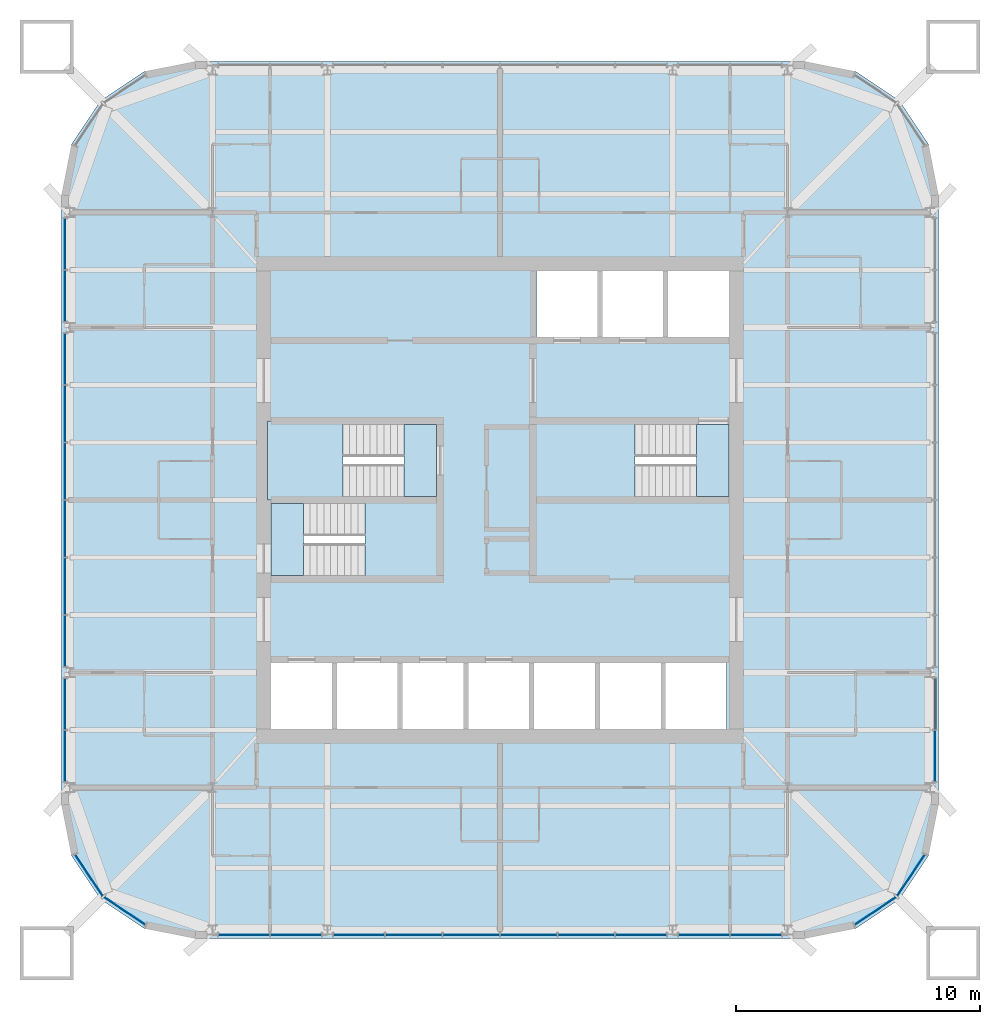
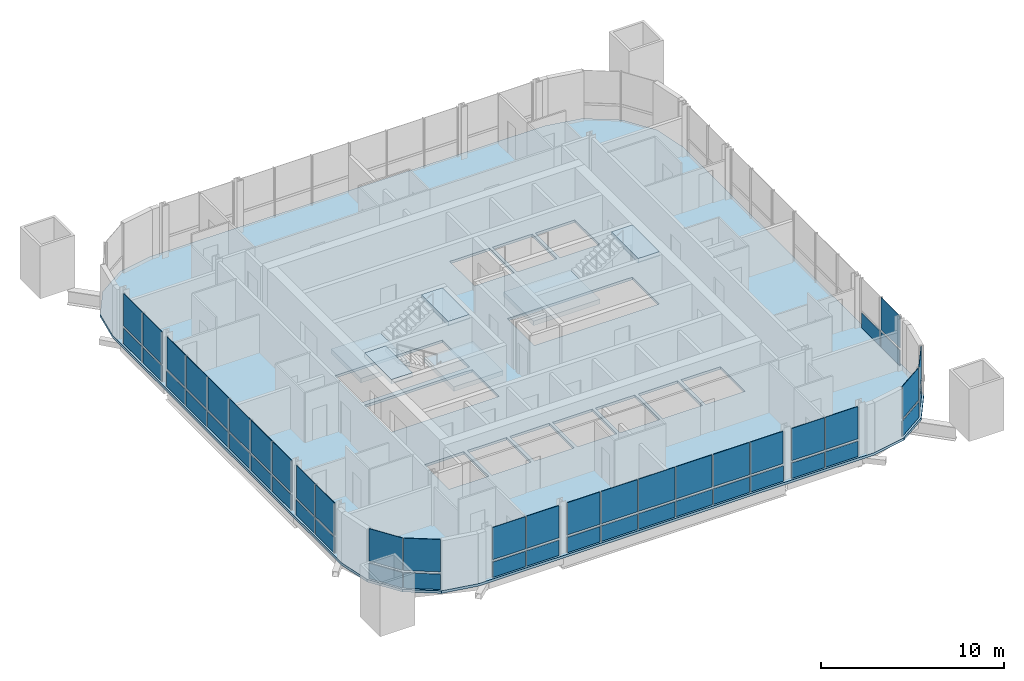
# One storey, part 6 of 12: 51 plates, 7 slabs, 12 elements without a shape of their own.
"""IFC4 building model written with IfcOpenShell, lengths in metres."""

from ifc_helpers import new_model, si_unit, direction, frame, origin, origin_2d, place, context, subcontext, project, spatial, polyline, rectangle, outline, extrude, material, layer, layer_set, type_object, element, aggregate, save


model = new_model("IFC4")

# Units and contexts
model_context = context("Model", 3, precision=1e-05, world=origin(), true_north=direction((0.0, 1.0)))
body_context = subcontext(model_context, "Body", "Model", "MODEL_VIEW")
ifc_project = project(units=[si_unit("LENGTHUNIT", "METRE"), si_unit("AREAUNIT", "SQUARE_METRE"), si_unit("VOLUMEUNIT", "CUBIC_METRE"), si_unit("PLANEANGLEUNIT", "RADIAN"), si_unit("MASSUNIT", "GRAM", prefix="KILO")], contexts=[model_context])

# Site, building, storey
site_placement = place(None, origin())
site = spatial("IfcSite", under=ifc_project, at=site_placement, CompositionType="ELEMENT")
building_placement = place(site_placement, origin())
building = spatial("IfcBuilding", under=site, at=building_placement, Name="Turquesa Mirador Hotel Tower", CompositionType="ELEMENT")
storey_placement = place(building_placement, frame((0.0, 0.0, 233.699951171875)))
storey = spatial("IfcBuildingStorey", under=building, at=storey_placement, Name="L63", CompositionType="ELEMENT", Elevation=233.699951171875)

# Slab
ifc_material_1 = material(Name="Concrete C28/35", Category="concrete")
ifc_layer_1 = layer(ifc_material_1, 0.169921875)
ifc_layer_set_1 = layer_set([ifc_layer_1], Name="COMPOSITE FLOOR SLAB 170")
slab_type_1 = type_object("IfcSlabType", Name="COMPOSITE FLOOR SLAB 170", PredefinedType="FLOOR", material=ifc_layer_set_1)
slab_1_placement = place(storey_placement, frame((0.0, 0.0, -0.169921875)))
element("IfcSlab", 1, at=slab_1_placement, inside=storey, type_object=slab_type_1, Name="Floor slab L63", PredefinedType="FLOOR", context=body_context, shape_type="SweptSolid", body=[
    extrude(outline(polyline([(67.5, 27.0), (69.604736328125, 27.418701171875), (71.38916015625, 28.61083984375), (72.581298828125, 30.395263671875), (73.0, 32.5), (73.0, 57.5), (72.581298828125, 59.604736328125), (71.38916015625, 61.38916015625), (69.604736328125, 62.581298828125), (67.5, 63.0), (42.5, 63.0), (40.395263671875, 62.581298828125), (38.61083984375, 61.38916015625), (37.418701171875, 59.604736328125), (37.0, 57.5), (37.0, 32.5), (37.418701171875, 30.395263671875), (38.61083984375, 28.61083984375), (40.395263671875, 27.418701171875), (42.5, 27.0), (67.5, 27.0)]), holes=[polyline([(56.5, 51.699951171875), (59.0, 51.699951171875), (59.0, 54.39990234375), (56.5, 54.39990234375), (56.5, 51.699951171875)]), polyline([(59.199951171875, 51.699951171875), (61.699951171875, 51.699951171875), (61.699951171875, 54.39990234375), (59.199951171875, 54.39990234375), (59.199951171875, 51.699951171875)]), polyline([(45.60009765625, 35.60009765625), (48.10009765625, 35.60009765625), (48.10009765625, 38.300048828125), (45.60009765625, 38.300048828125), (45.60009765625, 35.60009765625)]), polyline([(48.300048828125, 35.60009765625), (50.800048828125, 35.60009765625), (50.800048828125, 38.300048828125), (48.300048828125, 38.300048828125), (48.300048828125, 35.60009765625)]), polyline([(51.0, 35.60009765625), (53.5, 35.60009765625), (53.5, 38.300048828125), (51.0, 38.300048828125), (51.0, 35.60009765625)]), polyline([(53.699951171875, 35.60009765625), (56.199951171875, 35.60009765625), (56.199951171875, 38.300048828125), (53.699951171875, 38.300048828125), (53.699951171875, 35.60009765625)]), polyline([(56.39990234375, 35.60009765625), (58.89990234375, 35.60009765625), (58.89990234375, 38.300048828125), (56.39990234375, 38.300048828125), (56.39990234375, 35.60009765625)]), polyline([(59.10009765625, 35.60009765625), (61.60009765625, 35.60009765625), (61.60009765625, 38.300048828125), (59.10009765625, 38.300048828125), (59.10009765625, 35.60009765625)]), polyline([(61.800048828125, 35.60009765625), (64.300048828125, 35.60009765625), (64.300048828125, 38.300048828125), (61.800048828125, 38.300048828125), (61.800048828125, 35.60009765625)]), polyline([(45.60009765625, 45.14990234375), (52.39990234375, 45.14990234375), (52.39990234375, 48.10009765625), (45.60009765625, 48.10009765625), (45.60009765625, 45.14990234375)]), polyline([(45.60009765625, 41.89990234375), (52.39990234375, 41.89990234375), (52.39990234375, 44.85009765625), (45.60009765625, 44.85009765625), (45.60009765625, 41.89990234375)]), polyline([(56.5, 45.14990234375), (64.39990234375, 45.14990234375), (64.39990234375, 48.10009765625), (56.5, 48.10009765625), (56.5, 45.14990234375)]), polyline([(61.89990234375, 51.699951171875), (64.39990234375, 51.699951171875), (64.39990234375, 54.39990234375), (61.89990234375, 54.39990234375), (61.89990234375, 51.699951171875)])]), origin(), (0.0, 0.0, 1.0), 0.169921875),
])

# Curtain wall, plates
ifc_material_2 = material(Name="Aluminium extrusion", Category="aluminium")
curtain_wall_type = type_object("IfcCurtainWallType", Name="CW-4 SUITE FRITTED CURTAIN WALL", PredefinedType="USERDEFINED", material=ifc_material_2)
curtain_wall_1_placement = place(storey_placement, origin())
curtain_wall_1 = element("IfcCurtainWall", 2, at=curtain_wall_1_placement, inside=storey, type_object=curtain_wall_type, Name="CW-4 SUITE FRITTED CURTAIN WALL L63", ObjectType="CURTAIN WALL", PredefinedType="USERDEFINED")
ifc_material_3 = material(Name="Ceramic-printed spandrel glass on an insulated back pan", Category="glass")
ifc_layer_2 = layer(ifc_material_3, 0.050048828125)
ifc_layer_set_2 = layer_set([ifc_layer_2], Name="CW PANEL SPANDREL CERAMIC")
plate_type_1 = type_object("IfcPlateType", Name="CW PANEL SPANDREL CERAMIC", PredefinedType="CURTAIN_PANEL", material=ifc_layer_set_2)
plate_1_placement = place(storey_placement, frame((70.415283203125, 28.13720703125, 0.0), z_axis=(0.0, 0.0, 1.0), x_axis=(0.831469673284, 0.555570141754, 0.0)))
plate_1 = element("IfcPlate", 3, at=plate_1_placement, type_object=plate_type_1, Name="Panel", PredefinedType="CURTAIN_PANEL", context=body_context, shape_type="SweptSolid", body=[
    extrude(rectangle(XDim=2.0224609375, YDim=0.050048828125, at=origin_2d()), origin(), (0.0, 0.0, 1.0), 1.02490234375),
])
plate_2_placement = place(storey_placement, frame((71.86279296875, 29.584716796875, 0.0), z_axis=(0.0, 0.0, 1.0), x_axis=(0.555570141754, 0.831469673284, 0.0)))
plate_2 = element("IfcPlate", 4, at=plate_2_placement, type_object=plate_type_1, Name="Panel", PredefinedType="CURTAIN_PANEL", context=body_context, shape_type="SweptSolid", body=[
    extrude(rectangle(XDim=2.0224609375, YDim=0.050048828125, at=origin_2d()), origin(), (0.0, 0.0, 1.0), 1.02490234375),
])

curtain_wall_2_placement = place(storey_placement, origin())
curtain_wall_2 = element("IfcCurtainWall", 5, at=curtain_wall_2_placement, inside=storey, type_object=curtain_wall_type, Name="CW-4 SUITE FRITTED CURTAIN WALL L63", ObjectType="CURTAIN WALL", PredefinedType="USERDEFINED")
plate_3_placement = place(storey_placement, frame((72.85009765625, 34.496826171875, 0.0), z_axis=(0.0, 0.0, 1.0), x_axis=(0.0, 1.0, 0.0)))
plate_3 = element("IfcPlate", 6, at=plate_3_placement, type_object=plate_type_1, Name="Panel", PredefinedType="CURTAIN_PANEL", context=body_context, shape_type="SweptSolid", body=[
    extrude(rectangle(XDim=2.06103515625, YDim=0.050048828125, at=origin_2d()), origin(), (0.0, 0.0, 1.0), 1.02490234375),
])
plate_4_placement = place(storey_placement, frame((72.85009765625, 36.623046875, 0.0), z_axis=(0.0, 0.0, 1.0), x_axis=(0.0, 1.0, 0.0)))
plate_4 = element("IfcPlate", 7, at=plate_4_placement, type_object=plate_type_1, Name="Panel", PredefinedType="CURTAIN_PANEL", context=body_context, shape_type="SweptSolid", body=[
    extrude(rectangle(XDim=2.06103515625, YDim=0.050048828125, at=origin_2d()), origin(), (0.0, 0.0, 1.0), 1.02490234375),
])

curtain_wall_3_placement = place(storey_placement, origin())
curtain_wall_3 = element("IfcCurtainWall", 8, at=curtain_wall_3_placement, inside=storey, type_object=curtain_wall_type, Name="CW-4 SUITE FRITTED CURTAIN WALL L63", ObjectType="CURTAIN WALL", PredefinedType="USERDEFINED")
plate_5_placement = place(storey_placement, frame((37.14990234375, 55.503173828125, 0.0), z_axis=(0.0, 0.0, 1.0), x_axis=(0.0, -1.0, 0.0)))
plate_5 = element("IfcPlate", 9, at=plate_5_placement, type_object=plate_type_1, Name="Panel", PredefinedType="CURTAIN_PANEL", context=body_context, shape_type="SweptSolid", body=[
    extrude(rectangle(XDim=2.06103515625, YDim=0.050048828125, at=origin_2d()), origin(), (0.0, 0.0, 1.0), 1.02490234375),
])
plate_6_placement = place(storey_placement, frame((37.14990234375, 53.376953125, 0.0), z_axis=(0.0, 0.0, 1.0), x_axis=(0.0, -1.0, 0.0)))
plate_6 = element("IfcPlate", 10, at=plate_6_placement, type_object=plate_type_1, Name="Panel", PredefinedType="CURTAIN_PANEL", context=body_context, shape_type="SweptSolid", body=[
    extrude(rectangle(XDim=2.06103515625, YDim=0.050048828125, at=origin_2d()), origin(), (0.0, 0.0, 1.0), 1.02490234375),
])

curtain_wall_4_placement = place(storey_placement, origin())
curtain_wall_4 = element("IfcCurtainWall", 11, at=curtain_wall_4_placement, inside=storey, type_object=curtain_wall_type, Name="CW-4 SUITE FRITTED CURTAIN WALL L63", ObjectType="CURTAIN WALL", PredefinedType="USERDEFINED")
plate_7_placement = place(storey_placement, frame((37.14990234375, 50.782958984375, 0.0), z_axis=(0.0, 0.0, 1.0), x_axis=(0.0, -1.0, 0.0)))
plate_7 = element("IfcPlate", 12, at=plate_7_placement, type_object=plate_type_1, Name="Panel", PredefinedType="CURTAIN_PANEL", context=body_context, shape_type="SweptSolid", body=[
    extrude(rectangle(XDim=2.06103515625, YDim=0.050048828125, at=origin_2d()), origin(), (0.0, 0.0, 1.0), 1.02490234375),
])
plate_8_placement = place(storey_placement, frame((37.14990234375, 48.5400390625, 0.0), z_axis=(0.0, 0.0, 1.0), x_axis=(0.0, -1.0, 0.0)))
plate_8 = element("IfcPlate", 13, at=plate_8_placement, type_object=plate_type_1, Name="Panel", PredefinedType="CURTAIN_PANEL", context=body_context, shape_type="SweptSolid", body=[
    extrude(rectangle(XDim=2.294921875, YDim=0.050048828125, at=origin_2d()), origin(), (0.0, 0.0, 1.0), 1.02490234375),
])
plate_9_placement = place(storey_placement, frame((37.14990234375, 46.179931640625, 0.0), z_axis=(0.0, 0.0, 1.0), x_axis=(0.0, -1.0, 0.0)))
plate_9 = element("IfcPlate", 14, at=plate_9_placement, type_object=plate_type_1, Name="Panel", PredefinedType="CURTAIN_PANEL", context=body_context, shape_type="SweptSolid", body=[
    extrude(rectangle(XDim=2.294921875, YDim=0.050048828125, at=origin_2d()), origin(), (0.0, 0.0, 1.0), 1.02490234375),
])
plate_10_placement = place(storey_placement, frame((37.14990234375, 43.820068359375, 0.0), z_axis=(0.0, 0.0, 1.0), x_axis=(0.0, -1.0, 0.0)))
plate_10 = element("IfcPlate", 15, at=plate_10_placement, type_object=plate_type_1, Name="Panel", PredefinedType="CURTAIN_PANEL", context=body_context, shape_type="SweptSolid", body=[
    extrude(rectangle(XDim=2.294921875, YDim=0.050048828125, at=origin_2d()), origin(), (0.0, 0.0, 1.0), 1.02490234375),
])
plate_11_placement = place(storey_placement, frame((37.14990234375, 41.4599609375, 0.0), z_axis=(0.0, 0.0, 1.0), x_axis=(0.0, -1.0, 0.0)))
plate_11 = element("IfcPlate", 16, at=plate_11_placement, type_object=plate_type_1, Name="Panel", PredefinedType="CURTAIN_PANEL", context=body_context, shape_type="SweptSolid", body=[
    extrude(rectangle(XDim=2.294921875, YDim=0.050048828125, at=origin_2d()), origin(), (0.0, 0.0, 1.0), 1.02490234375),
])
plate_12_placement = place(storey_placement, frame((37.14990234375, 39.217041015625, 0.0), z_axis=(0.0, 0.0, 1.0), x_axis=(0.0, -1.0, 0.0)))
plate_12 = element("IfcPlate", 17, at=plate_12_placement, type_object=plate_type_1, Name="Panel", PredefinedType="CURTAIN_PANEL", context=body_context, shape_type="SweptSolid", body=[
    extrude(rectangle(XDim=2.06103515625, YDim=0.050048828125, at=origin_2d()), origin(), (0.0, 0.0, 1.0), 1.02490234375),
])

curtain_wall_5_placement = place(storey_placement, origin())
curtain_wall_5 = element("IfcCurtainWall", 18, at=curtain_wall_5_placement, inside=storey, type_object=curtain_wall_type, Name="CW-4 SUITE FRITTED CURTAIN WALL L63", ObjectType="CURTAIN WALL", PredefinedType="USERDEFINED")
plate_13_placement = place(storey_placement, frame((37.14990234375, 36.623046875, 0.0), z_axis=(0.0, 0.0, 1.0), x_axis=(0.0, -1.0, 0.0)))
plate_13 = element("IfcPlate", 19, at=plate_13_placement, type_object=plate_type_1, Name="Panel", PredefinedType="CURTAIN_PANEL", context=body_context, shape_type="SweptSolid", body=[
    extrude(rectangle(XDim=2.06103515625, YDim=0.050048828125, at=origin_2d()), origin(), (0.0, 0.0, 1.0), 1.02490234375),
])
plate_14_placement = place(storey_placement, frame((37.14990234375, 34.496826171875, 0.0), z_axis=(0.0, 0.0, 1.0), x_axis=(0.0, -1.0, 0.0)))
plate_14 = element("IfcPlate", 20, at=plate_14_placement, type_object=plate_type_1, Name="Panel", PredefinedType="CURTAIN_PANEL", context=body_context, shape_type="SweptSolid", body=[
    extrude(rectangle(XDim=2.06103515625, YDim=0.050048828125, at=origin_2d()), origin(), (0.0, 0.0, 1.0), 1.02490234375),
])

curtain_wall_6_placement = place(storey_placement, origin())
curtain_wall_6 = element("IfcCurtainWall", 21, at=curtain_wall_6_placement, inside=storey, type_object=curtain_wall_type, Name="CW-4 SUITE FRITTED CURTAIN WALL L63", ObjectType="CURTAIN WALL", PredefinedType="USERDEFINED")
plate_15_placement = place(storey_placement, frame((38.13720703125, 29.584716796875, 0.0), z_axis=(0.0, 0.0, 1.0), x_axis=(0.555570141754, -0.831469673284, 0.0)))
plate_15 = element("IfcPlate", 22, at=plate_15_placement, type_object=plate_type_1, Name="Panel", PredefinedType="CURTAIN_PANEL", context=body_context, shape_type="SweptSolid", body=[
    extrude(rectangle(XDim=2.0224609375, YDim=0.050048828125, at=origin_2d()), origin(), (0.0, 0.0, 1.0), 1.02490234375),
])
plate_16_placement = place(storey_placement, frame((39.584716796875, 28.13720703125, 0.0), z_axis=(0.0, 0.0, 1.0), x_axis=(0.831469673284, -0.555570141754, 0.0)))
plate_16 = element("IfcPlate", 23, at=plate_16_placement, type_object=plate_type_1, Name="Panel", PredefinedType="CURTAIN_PANEL", context=body_context, shape_type="SweptSolid", body=[
    extrude(rectangle(XDim=2.0224609375, YDim=0.050048828125, at=origin_2d()), origin(), (0.0, 0.0, 1.0), 1.02490234375),
])

curtain_wall_7_placement = place(storey_placement, origin())
curtain_wall_7 = element("IfcCurtainWall", 24, at=curtain_wall_7_placement, inside=storey, type_object=curtain_wall_type, Name="CW-4 SUITE FRITTED CURTAIN WALL L63", ObjectType="CURTAIN WALL", PredefinedType="USERDEFINED")
plate_17_placement = place(storey_placement, frame((44.496826171875, 27.14990234375, 0.0), z_axis=(0.0, 0.0, 1.0), x_axis=(1.0, 0.0, 0.0)))
plate_17 = element("IfcPlate", 25, at=plate_17_placement, type_object=plate_type_1, Name="Panel", PredefinedType="CURTAIN_PANEL", context=body_context, shape_type="SweptSolid", body=[
    extrude(rectangle(XDim=2.06103515625, YDim=0.050048828125, at=origin_2d()), origin(), (0.0, 0.0, 1.0), 1.02490234375),
])
plate_18_placement = place(storey_placement, frame((46.623046875, 27.14990234375, 0.0), z_axis=(0.0, 0.0, 1.0), x_axis=(1.0, 0.0, 0.0)))
plate_18 = element("IfcPlate", 26, at=plate_18_placement, type_object=plate_type_1, Name="Panel", PredefinedType="CURTAIN_PANEL", context=body_context, shape_type="SweptSolid", body=[
    extrude(rectangle(XDim=2.06103515625, YDim=0.050048828125, at=origin_2d()), origin(), (0.0, 0.0, 1.0), 1.02490234375),
])

curtain_wall_8_placement = place(storey_placement, origin())
curtain_wall_8 = element("IfcCurtainWall", 27, at=curtain_wall_8_placement, inside=storey, type_object=curtain_wall_type, Name="CW-4 SUITE FRITTED CURTAIN WALL L63", ObjectType="CURTAIN WALL", PredefinedType="USERDEFINED")
plate_19_placement = place(storey_placement, frame((49.217041015625, 27.14990234375, 0.0), z_axis=(0.0, 0.0, 1.0), x_axis=(1.0, 0.0, 0.0)))
plate_19 = element("IfcPlate", 28, at=plate_19_placement, type_object=plate_type_1, Name="Panel", PredefinedType="CURTAIN_PANEL", context=body_context, shape_type="SweptSolid", body=[
    extrude(rectangle(XDim=2.06103515625, YDim=0.050048828125, at=origin_2d()), origin(), (0.0, 0.0, 1.0), 1.02490234375),
])
plate_20_placement = place(storey_placement, frame((51.4599609375, 27.14990234375, 0.0), z_axis=(0.0, 0.0, 1.0), x_axis=(1.0, 0.0, 0.0)))
plate_20 = element("IfcPlate", 29, at=plate_20_placement, type_object=plate_type_1, Name="Panel", PredefinedType="CURTAIN_PANEL", context=body_context, shape_type="SweptSolid", body=[
    extrude(rectangle(XDim=2.294921875, YDim=0.050048828125, at=origin_2d()), origin(), (0.0, 0.0, 1.0), 1.02490234375),
])
plate_21_placement = place(storey_placement, frame((53.820068359375, 27.14990234375, 0.0), z_axis=(0.0, 0.0, 1.0), x_axis=(1.0, 0.0, 0.0)))
plate_21 = element("IfcPlate", 30, at=plate_21_placement, type_object=plate_type_1, Name="Panel", PredefinedType="CURTAIN_PANEL", context=body_context, shape_type="SweptSolid", body=[
    extrude(rectangle(XDim=2.294921875, YDim=0.050048828125, at=origin_2d()), origin(), (0.0, 0.0, 1.0), 1.02490234375),
])
plate_22_placement = place(storey_placement, frame((56.179931640625, 27.14990234375, 0.0), z_axis=(0.0, 0.0, 1.0), x_axis=(1.0, 0.0, 0.0)))
plate_22 = element("IfcPlate", 31, at=plate_22_placement, type_object=plate_type_1, Name="Panel", PredefinedType="CURTAIN_PANEL", context=body_context, shape_type="SweptSolid", body=[
    extrude(rectangle(XDim=2.294921875, YDim=0.050048828125, at=origin_2d()), origin(), (0.0, 0.0, 1.0), 1.02490234375),
])
plate_23_placement = place(storey_placement, frame((58.5400390625, 27.14990234375, 0.0), z_axis=(0.0, 0.0, 1.0), x_axis=(1.0, 0.0, 0.0)))
plate_23 = element("IfcPlate", 32, at=plate_23_placement, type_object=plate_type_1, Name="Panel", PredefinedType="CURTAIN_PANEL", context=body_context, shape_type="SweptSolid", body=[
    extrude(rectangle(XDim=2.294921875, YDim=0.050048828125, at=origin_2d()), origin(), (0.0, 0.0, 1.0), 1.02490234375),
])
plate_24_placement = place(storey_placement, frame((60.782958984375, 27.14990234375, 0.0), z_axis=(0.0, 0.0, 1.0), x_axis=(1.0, 0.0, 0.0)))
plate_24 = element("IfcPlate", 33, at=plate_24_placement, type_object=plate_type_1, Name="Panel", PredefinedType="CURTAIN_PANEL", context=body_context, shape_type="SweptSolid", body=[
    extrude(rectangle(XDim=2.06103515625, YDim=0.050048828125, at=origin_2d()), origin(), (0.0, 0.0, 1.0), 1.02490234375),
])

curtain_wall_9_placement = place(storey_placement, origin())
curtain_wall_9 = element("IfcCurtainWall", 34, at=curtain_wall_9_placement, inside=storey, type_object=curtain_wall_type, Name="CW-4 SUITE FRITTED CURTAIN WALL L63", ObjectType="CURTAIN WALL", PredefinedType="USERDEFINED")
plate_25_placement = place(storey_placement, frame((63.376953125, 27.14990234375, 0.0), z_axis=(0.0, 0.0, 1.0), x_axis=(1.0, 0.0, 0.0)))
plate_25 = element("IfcPlate", 35, at=plate_25_placement, type_object=plate_type_1, Name="Panel", PredefinedType="CURTAIN_PANEL", context=body_context, shape_type="SweptSolid", body=[
    extrude(rectangle(XDim=2.06103515625, YDim=0.050048828125, at=origin_2d()), origin(), (0.0, 0.0, 1.0), 1.02490234375),
])
plate_26_placement = place(storey_placement, frame((65.503173828125, 27.14990234375, 0.0), z_axis=(0.0, 0.0, 1.0), x_axis=(1.0, 0.0, 0.0)))
plate_26 = element("IfcPlate", 36, at=plate_26_placement, type_object=plate_type_1, Name="Panel", PredefinedType="CURTAIN_PANEL", context=body_context, shape_type="SweptSolid", body=[
    extrude(rectangle(XDim=2.06103515625, YDim=0.050048828125, at=origin_2d()), origin(), (0.0, 0.0, 1.0), 1.02490234375),
])

# Plate
ifc_material_4 = material(Name="Ceramic-fritted laminated glass", Category="glass")
ifc_layer_3 = layer(ifc_material_4, 0.031982421875)
ifc_layer_set_3 = layer_set([ifc_layer_3], Name="CW PANEL VISION FRITTED")
plate_type_2 = type_object("IfcPlateType", Name="CW PANEL VISION FRITTED", PredefinedType="CURTAIN_PANEL", material=ifc_layer_set_3)
plate_27_placement = place(storey_placement, frame((70.415283203125, 28.13720703125, 1.1748046875), z_axis=(0.0, 0.0, 1.0), x_axis=(0.831469673284, 0.555570141754, 0.0)))
plate_27 = element("IfcPlate", 37, at=plate_27_placement, type_object=plate_type_2, Name="Panel", PredefinedType="CURTAIN_PANEL", context=body_context, shape_type="SweptSolid", body=[
    extrude(rectangle(XDim=2.0224609375, YDim=0.031982421875, at=origin_2d()), origin(), (0.0, 0.0, 1.0), 2.155029296875),
])

plate_28_placement = place(storey_placement, frame((71.86279296875, 29.584716796875, 1.1748046875), z_axis=(0.0, 0.0, 1.0), x_axis=(0.555570141754, 0.831469673284, 0.0)))
plate_28 = element("IfcPlate", 38, at=plate_28_placement, type_object=plate_type_2, Name="Panel", PredefinedType="CURTAIN_PANEL", context=body_context, shape_type="SweptSolid", body=[
    extrude(rectangle(XDim=2.0224609375, YDim=0.031982421875, at=origin_2d()), origin(), (0.0, 0.0, 1.0), 2.155029296875),
])

aggregate(curtain_wall_1, [plate_1, plate_27, plate_2, plate_28])

plate_29_placement = place(storey_placement, frame((72.85009765625, 34.496826171875, 1.1748046875), z_axis=(0.0, 0.0, 1.0), x_axis=(0.0, 1.0, 0.0)))
plate_29 = element("IfcPlate", 39, at=plate_29_placement, type_object=plate_type_2, Name="Panel", PredefinedType="CURTAIN_PANEL", context=body_context, shape_type="SweptSolid", body=[
    extrude(rectangle(XDim=2.06103515625, YDim=0.031982421875, at=origin_2d()), origin(), (0.0, 0.0, 1.0), 2.155029296875),
])

aggregate(curtain_wall_2, [plate_3, plate_29, plate_4])

plate_30_placement = place(storey_placement, frame((37.14990234375, 55.503173828125, 1.1748046875), z_axis=(0.0, 0.0, 1.0), x_axis=(0.0, -1.0, 0.0)))
plate_30 = element("IfcPlate", 40, at=plate_30_placement, type_object=plate_type_2, Name="Panel", PredefinedType="CURTAIN_PANEL", context=body_context, shape_type="SweptSolid", body=[
    extrude(rectangle(XDim=2.06103515625, YDim=0.031982421875, at=origin_2d()), origin(), (0.0, 0.0, 1.0), 2.155029296875),
])

plate_31_placement = place(storey_placement, frame((37.14990234375, 53.376953125, 1.1748046875), z_axis=(0.0, 0.0, 1.0), x_axis=(0.0, -1.0, 0.0)))
plate_31 = element("IfcPlate", 41, at=plate_31_placement, type_object=plate_type_2, Name="Panel", PredefinedType="CURTAIN_PANEL", context=body_context, shape_type="SweptSolid", body=[
    extrude(rectangle(XDim=2.06103515625, YDim=0.031982421875, at=origin_2d()), origin(), (0.0, 0.0, 1.0), 2.155029296875),
])

aggregate(curtain_wall_3, [plate_5, plate_30, plate_6, plate_31])

plate_32_placement = place(storey_placement, frame((37.14990234375, 50.782958984375, 1.1748046875), z_axis=(0.0, 0.0, 1.0), x_axis=(0.0, -1.0, 0.0)))
plate_32 = element("IfcPlate", 42, at=plate_32_placement, type_object=plate_type_2, Name="Panel", PredefinedType="CURTAIN_PANEL", context=body_context, shape_type="SweptSolid", body=[
    extrude(rectangle(XDim=2.06103515625, YDim=0.031982421875, at=origin_2d()), origin(), (0.0, 0.0, 1.0), 2.155029296875),
])

plate_33_placement = place(storey_placement, frame((37.14990234375, 48.5400390625, 1.1748046875), z_axis=(0.0, 0.0, 1.0), x_axis=(0.0, -1.0, 0.0)))
plate_33 = element("IfcPlate", 43, at=plate_33_placement, type_object=plate_type_2, Name="Panel", PredefinedType="CURTAIN_PANEL", context=body_context, shape_type="SweptSolid", body=[
    extrude(rectangle(XDim=2.294921875, YDim=0.031982421875, at=origin_2d()), origin(), (0.0, 0.0, 1.0), 2.155029296875),
])

plate_34_placement = place(storey_placement, frame((37.14990234375, 46.179931640625, 1.1748046875), z_axis=(0.0, 0.0, 1.0), x_axis=(0.0, -1.0, 0.0)))
plate_34 = element("IfcPlate", 44, at=plate_34_placement, type_object=plate_type_2, Name="Panel", PredefinedType="CURTAIN_PANEL", context=body_context, shape_type="SweptSolid", body=[
    extrude(rectangle(XDim=2.294921875, YDim=0.031982421875, at=origin_2d()), origin(), (0.0, 0.0, 1.0), 2.155029296875),
])

plate_35_placement = place(storey_placement, frame((37.14990234375, 43.820068359375, 1.1748046875), z_axis=(0.0, 0.0, 1.0), x_axis=(0.0, -1.0, 0.0)))
plate_35 = element("IfcPlate", 45, at=plate_35_placement, type_object=plate_type_2, Name="Panel", PredefinedType="CURTAIN_PANEL", context=body_context, shape_type="SweptSolid", body=[
    extrude(rectangle(XDim=2.294921875, YDim=0.031982421875, at=origin_2d()), origin(), (0.0, 0.0, 1.0), 2.155029296875),
])

plate_36_placement = place(storey_placement, frame((37.14990234375, 41.4599609375, 1.1748046875), z_axis=(0.0, 0.0, 1.0), x_axis=(0.0, -1.0, 0.0)))
plate_36 = element("IfcPlate", 46, at=plate_36_placement, type_object=plate_type_2, Name="Panel", PredefinedType="CURTAIN_PANEL", context=body_context, shape_type="SweptSolid", body=[
    extrude(rectangle(XDim=2.294921875, YDim=0.031982421875, at=origin_2d()), origin(), (0.0, 0.0, 1.0), 2.155029296875),
])

plate_37_placement = place(storey_placement, frame((37.14990234375, 39.217041015625, 1.1748046875), z_axis=(0.0, 0.0, 1.0), x_axis=(0.0, -1.0, 0.0)))
plate_37 = element("IfcPlate", 47, at=plate_37_placement, type_object=plate_type_2, Name="Panel", PredefinedType="CURTAIN_PANEL", context=body_context, shape_type="SweptSolid", body=[
    extrude(rectangle(XDim=2.06103515625, YDim=0.031982421875, at=origin_2d()), origin(), (0.0, 0.0, 1.0), 2.155029296875),
])

aggregate(curtain_wall_4, [plate_7, plate_32, plate_8, plate_33, plate_9, plate_34, plate_10, plate_35, plate_11, plate_36, plate_12, plate_37])

plate_38_placement = place(storey_placement, frame((37.14990234375, 36.623046875, 1.1748046875), z_axis=(0.0, 0.0, 1.0), x_axis=(0.0, -1.0, 0.0)))
plate_38 = element("IfcPlate", 48, at=plate_38_placement, type_object=plate_type_2, Name="Panel", PredefinedType="CURTAIN_PANEL", context=body_context, shape_type="SweptSolid", body=[
    extrude(rectangle(XDim=2.06103515625, YDim=0.031982421875, at=origin_2d()), origin(), (0.0, 0.0, 1.0), 2.155029296875),
])

plate_39_placement = place(storey_placement, frame((37.14990234375, 34.496826171875, 1.1748046875), z_axis=(0.0, 0.0, 1.0), x_axis=(0.0, -1.0, 0.0)))
plate_39 = element("IfcPlate", 49, at=plate_39_placement, type_object=plate_type_2, Name="Panel", PredefinedType="CURTAIN_PANEL", context=body_context, shape_type="SweptSolid", body=[
    extrude(rectangle(XDim=2.06103515625, YDim=0.031982421875, at=origin_2d()), origin(), (0.0, 0.0, 1.0), 2.155029296875),
])

aggregate(curtain_wall_5, [plate_13, plate_38, plate_14, plate_39])

plate_40_placement = place(storey_placement, frame((38.13720703125, 29.584716796875, 1.1748046875), z_axis=(0.0, 0.0, 1.0), x_axis=(0.555570141754, -0.831469673284, 0.0)))
plate_40 = element("IfcPlate", 50, at=plate_40_placement, type_object=plate_type_2, Name="Panel", PredefinedType="CURTAIN_PANEL", context=body_context, shape_type="SweptSolid", body=[
    extrude(rectangle(XDim=2.0224609375, YDim=0.031982421875, at=origin_2d()), origin(), (0.0, 0.0, 1.0), 2.155029296875),
])

plate_41_placement = place(storey_placement, frame((39.584716796875, 28.13720703125, 1.1748046875), z_axis=(0.0, 0.0, 1.0), x_axis=(0.831469673284, -0.555570141754, 0.0)))
plate_41 = element("IfcPlate", 51, at=plate_41_placement, type_object=plate_type_2, Name="Panel", PredefinedType="CURTAIN_PANEL", context=body_context, shape_type="SweptSolid", body=[
    extrude(rectangle(XDim=2.0224609375, YDim=0.031982421875, at=origin_2d()), origin(), (0.0, 0.0, 1.0), 2.155029296875),
])

aggregate(curtain_wall_6, [plate_15, plate_40, plate_16, plate_41])

plate_42_placement = place(storey_placement, frame((44.496826171875, 27.14990234375, 1.1748046875), z_axis=(0.0, 0.0, 1.0), x_axis=(1.0, 0.0, 0.0)))
plate_42 = element("IfcPlate", 52, at=plate_42_placement, type_object=plate_type_2, Name="Panel", PredefinedType="CURTAIN_PANEL", context=body_context, shape_type="SweptSolid", body=[
    extrude(rectangle(XDim=2.06103515625, YDim=0.031982421875, at=origin_2d()), origin(), (0.0, 0.0, 1.0), 2.155029296875),
])

plate_43_placement = place(storey_placement, frame((46.623046875, 27.14990234375, 1.1748046875), z_axis=(0.0, 0.0, 1.0), x_axis=(1.0, 0.0, 0.0)))
plate_43 = element("IfcPlate", 53, at=plate_43_placement, type_object=plate_type_2, Name="Panel", PredefinedType="CURTAIN_PANEL", context=body_context, shape_type="SweptSolid", body=[
    extrude(rectangle(XDim=2.06103515625, YDim=0.031982421875, at=origin_2d()), origin(), (0.0, 0.0, 1.0), 2.155029296875),
])

aggregate(curtain_wall_7, [plate_17, plate_42, plate_18, plate_43])

plate_44_placement = place(storey_placement, frame((49.217041015625, 27.14990234375, 1.1748046875), z_axis=(0.0, 0.0, 1.0), x_axis=(1.0, 0.0, 0.0)))
plate_44 = element("IfcPlate", 54, at=plate_44_placement, type_object=plate_type_2, Name="Panel", PredefinedType="CURTAIN_PANEL", context=body_context, shape_type="SweptSolid", body=[
    extrude(rectangle(XDim=2.06103515625, YDim=0.031982421875, at=origin_2d()), origin(), (0.0, 0.0, 1.0), 2.155029296875),
])

plate_45_placement = place(storey_placement, frame((51.4599609375, 27.14990234375, 1.1748046875), z_axis=(0.0, 0.0, 1.0), x_axis=(1.0, 0.0, 0.0)))
plate_45 = element("IfcPlate", 55, at=plate_45_placement, type_object=plate_type_2, Name="Panel", PredefinedType="CURTAIN_PANEL", context=body_context, shape_type="SweptSolid", body=[
    extrude(rectangle(XDim=2.294921875, YDim=0.031982421875, at=origin_2d()), origin(), (0.0, 0.0, 1.0), 2.155029296875),
])

plate_46_placement = place(storey_placement, frame((53.820068359375, 27.14990234375, 1.1748046875), z_axis=(0.0, 0.0, 1.0), x_axis=(1.0, 0.0, 0.0)))
plate_46 = element("IfcPlate", 56, at=plate_46_placement, type_object=plate_type_2, Name="Panel", PredefinedType="CURTAIN_PANEL", context=body_context, shape_type="SweptSolid", body=[
    extrude(rectangle(XDim=2.294921875, YDim=0.031982421875, at=origin_2d()), origin(), (0.0, 0.0, 1.0), 2.155029296875),
])

plate_47_placement = place(storey_placement, frame((56.179931640625, 27.14990234375, 1.1748046875), z_axis=(0.0, 0.0, 1.0), x_axis=(1.0, 0.0, 0.0)))
plate_47 = element("IfcPlate", 57, at=plate_47_placement, type_object=plate_type_2, Name="Panel", PredefinedType="CURTAIN_PANEL", context=body_context, shape_type="SweptSolid", body=[
    extrude(rectangle(XDim=2.294921875, YDim=0.031982421875, at=origin_2d()), origin(), (0.0, 0.0, 1.0), 2.155029296875),
])

plate_48_placement = place(storey_placement, frame((58.5400390625, 27.14990234375, 1.1748046875), z_axis=(0.0, 0.0, 1.0), x_axis=(1.0, 0.0, 0.0)))
plate_48 = element("IfcPlate", 58, at=plate_48_placement, type_object=plate_type_2, Name="Panel", PredefinedType="CURTAIN_PANEL", context=body_context, shape_type="SweptSolid", body=[
    extrude(rectangle(XDim=2.294921875, YDim=0.031982421875, at=origin_2d()), origin(), (0.0, 0.0, 1.0), 2.155029296875),
])

plate_49_placement = place(storey_placement, frame((60.782958984375, 27.14990234375, 1.1748046875), z_axis=(0.0, 0.0, 1.0), x_axis=(1.0, 0.0, 0.0)))
plate_49 = element("IfcPlate", 59, at=plate_49_placement, type_object=plate_type_2, Name="Panel", PredefinedType="CURTAIN_PANEL", context=body_context, shape_type="SweptSolid", body=[
    extrude(rectangle(XDim=2.06103515625, YDim=0.031982421875, at=origin_2d()), origin(), (0.0, 0.0, 1.0), 2.155029296875),
])

aggregate(curtain_wall_8, [plate_19, plate_44, plate_20, plate_45, plate_21, plate_46, plate_22, plate_47, plate_23, plate_48, plate_24, plate_49])

plate_50_placement = place(storey_placement, frame((63.376953125, 27.14990234375, 1.1748046875), z_axis=(0.0, 0.0, 1.0), x_axis=(1.0, 0.0, 0.0)))
plate_50 = element("IfcPlate", 60, at=plate_50_placement, type_object=plate_type_2, Name="Panel", PredefinedType="CURTAIN_PANEL", context=body_context, shape_type="SweptSolid", body=[
    extrude(rectangle(XDim=2.06103515625, YDim=0.031982421875, at=origin_2d()), origin(), (0.0, 0.0, 1.0), 2.155029296875),
])

plate_51_placement = place(storey_placement, frame((65.503173828125, 27.14990234375, 1.1748046875), z_axis=(0.0, 0.0, 1.0), x_axis=(1.0, 0.0, 0.0)))
plate_51 = element("IfcPlate", 61, at=plate_51_placement, type_object=plate_type_2, Name="Panel", PredefinedType="CURTAIN_PANEL", context=body_context, shape_type="SweptSolid", body=[
    extrude(rectangle(XDim=2.06103515625, YDim=0.031982421875, at=origin_2d()), origin(), (0.0, 0.0, 1.0), 2.155029296875),
])

aggregate(curtain_wall_9, [plate_25, plate_50, plate_26, plate_51])

# Stair, slabs
ifc_material_5 = material(Name="Concrete C35/45", Category="concrete")
stair_type = type_object("IfcStairType", Name="ESCAPE STAIR CORE", PredefinedType="HALF_TURN_STAIR", material=ifc_material_5)
stair_1_placement = place(storey_placement, origin())
stair_1 = element("IfcStair", 62, at=stair_1_placement, inside=storey, type_object=stair_type, Name="Stair ST1 L63 to L64", PredefinedType="HALF_TURN_STAIR")
ifc_material_6 = material(Name="Concrete C35/45", Category="concrete")
ifc_layer_4 = layer(ifc_material_6, 0.300048828125)
ifc_layer_set_4 = layer_set([ifc_layer_4], Name="STAIR LANDING 300")
slab_type_2 = type_object("IfcSlabType", Name="STAIR LANDING 300", PredefinedType="LANDING", material=ifc_layer_set_4)
slab_2_placement = place(storey_placement, frame((0.0, 0.0, 1.449951171875)))
slab_2 = element("IfcSlab", 63, at=slab_2_placement, type_object=slab_type_2, Name="ST1 landing 1", PredefinedType="LANDING", context=body_context, shape_type="SweptSolid", body=[
    extrude(outline(polyline([(45.449951171875, 45.0), (48.550048828125, 45.0), (48.550048828125, 48.25), (45.449951171875, 48.25), (45.449951171875, 45.0)])), origin(), (0.0, 0.0, 1.0), 0.300048828125),
])
slab_3_placement = place(storey_placement, frame((0.0, 0.0, 3.199951171875)))
slab_3 = element("IfcSlab", 64, at=slab_3_placement, type_object=slab_type_2, Name="ST1 landing 2", PredefinedType="LANDING", context=body_context, shape_type="SweptSolid", body=[
    extrude(outline(polyline([(51.070068359375, 45.14990234375), (52.39990234375, 45.14990234375), (52.39990234375, 48.10009765625), (51.070068359375, 48.10009765625), (51.070068359375, 45.14990234375)])), origin(), (0.0, 0.0, 1.0), 0.300048828125),
])
aggregate(stair_1, [slab_2, slab_3])

stair_2_placement = place(storey_placement, origin())
stair_2 = element("IfcStair", 65, at=stair_2_placement, inside=storey, type_object=stair_type, Name="Stair ST2 L63 to L64", PredefinedType="HALF_TURN_STAIR")
slab_4_placement = place(storey_placement, frame((0.0, 0.0, 1.449951171875)))
slab_4 = element("IfcSlab", 66, at=slab_4_placement, type_object=slab_type_2, Name="ST2 landing 1", PredefinedType="LANDING", context=body_context, shape_type="SweptSolid", body=[
    extrude(outline(polyline([(52.550048828125, 45.0), (49.449951171875, 45.0), (49.449951171875, 41.75), (52.550048828125, 41.75), (52.550048828125, 45.0)])), origin(), (0.0, 0.0, 1.0), 0.300048828125),
])
slab_5_placement = place(storey_placement, frame((0.0, 0.0, 3.199951171875)))
slab_5 = element("IfcSlab", 67, at=slab_5_placement, type_object=slab_type_2, Name="ST2 landing 2", PredefinedType="LANDING", context=body_context, shape_type="SweptSolid", body=[
    extrude(outline(polyline([(46.929931640625, 44.85009765625), (45.60009765625, 44.85009765625), (45.60009765625, 41.89990234375), (46.929931640625, 41.89990234375), (46.929931640625, 44.85009765625)])), origin(), (0.0, 0.0, 1.0), 0.300048828125),
])
aggregate(stair_2, [slab_4, slab_5])

stair_3_placement = place(storey_placement, origin())
stair_3 = element("IfcStair", 68, at=stair_3_placement, inside=storey, type_object=stair_type, Name="Stair ST3 L63 to L64", PredefinedType="HALF_TURN_STAIR")
slab_6_placement = place(storey_placement, frame((0.0, 0.0, 1.449951171875)))
slab_6 = element("IfcSlab", 69, at=slab_6_placement, type_object=slab_type_2, Name="ST3 landing 1", PredefinedType="LANDING", context=body_context, shape_type="SweptSolid", body=[
    extrude(outline(polyline([(56.35009765625, 45.0), (60.550048828125, 45.0), (60.550048828125, 48.25), (56.35009765625, 48.25), (56.35009765625, 45.0)])), origin(), (0.0, 0.0, 1.0), 0.300048828125),
])
slab_7_placement = place(storey_placement, frame((0.0, 0.0, 3.199951171875)))
slab_7 = element("IfcSlab", 70, at=slab_7_placement, type_object=slab_type_2, Name="ST3 landing 2", PredefinedType="LANDING", context=body_context, shape_type="SweptSolid", body=[
    extrude(outline(polyline([(63.070068359375, 45.14990234375), (64.39990234375, 45.14990234375), (64.39990234375, 48.10009765625), (63.070068359375, 48.10009765625), (63.070068359375, 45.14990234375)])), origin(), (0.0, 0.0, 1.0), 0.300048828125),
])
aggregate(stair_3, [slab_6, slab_7])

save(model, "model.ifc")
